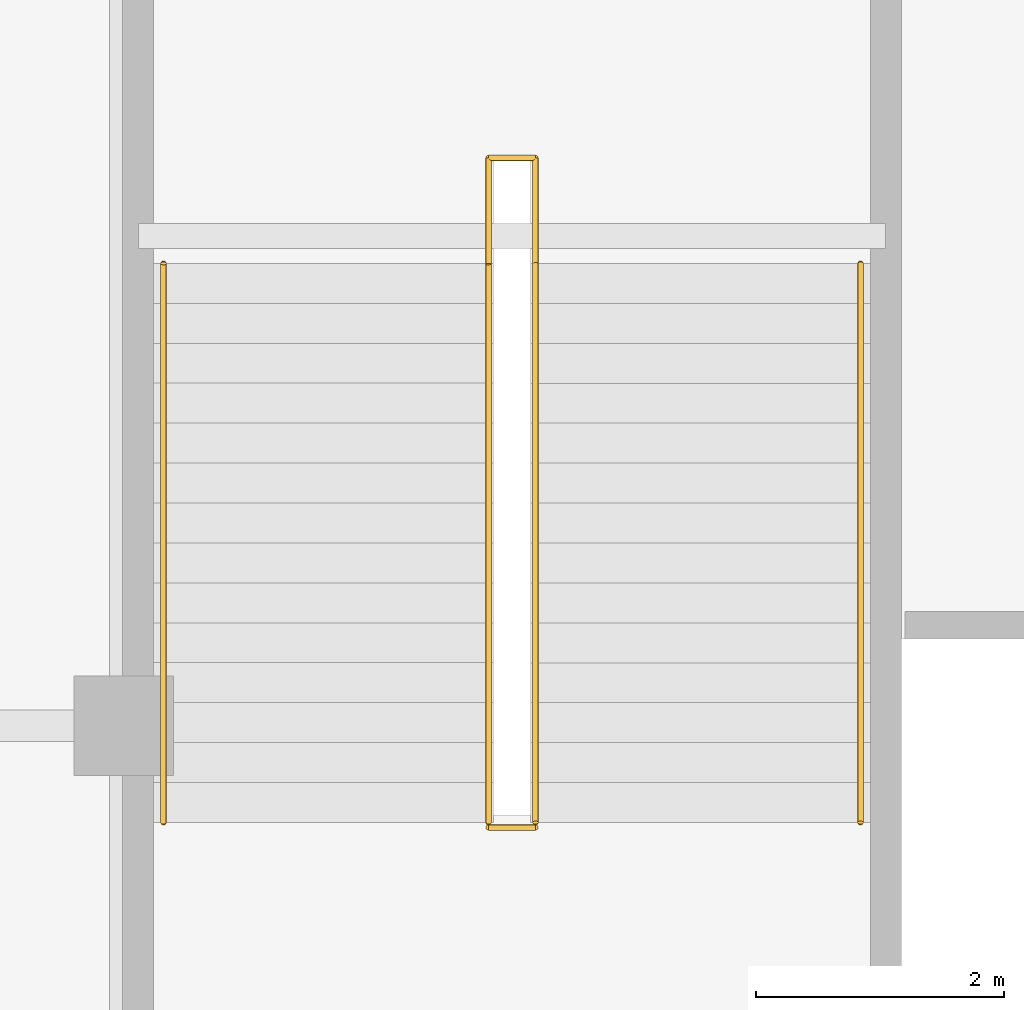
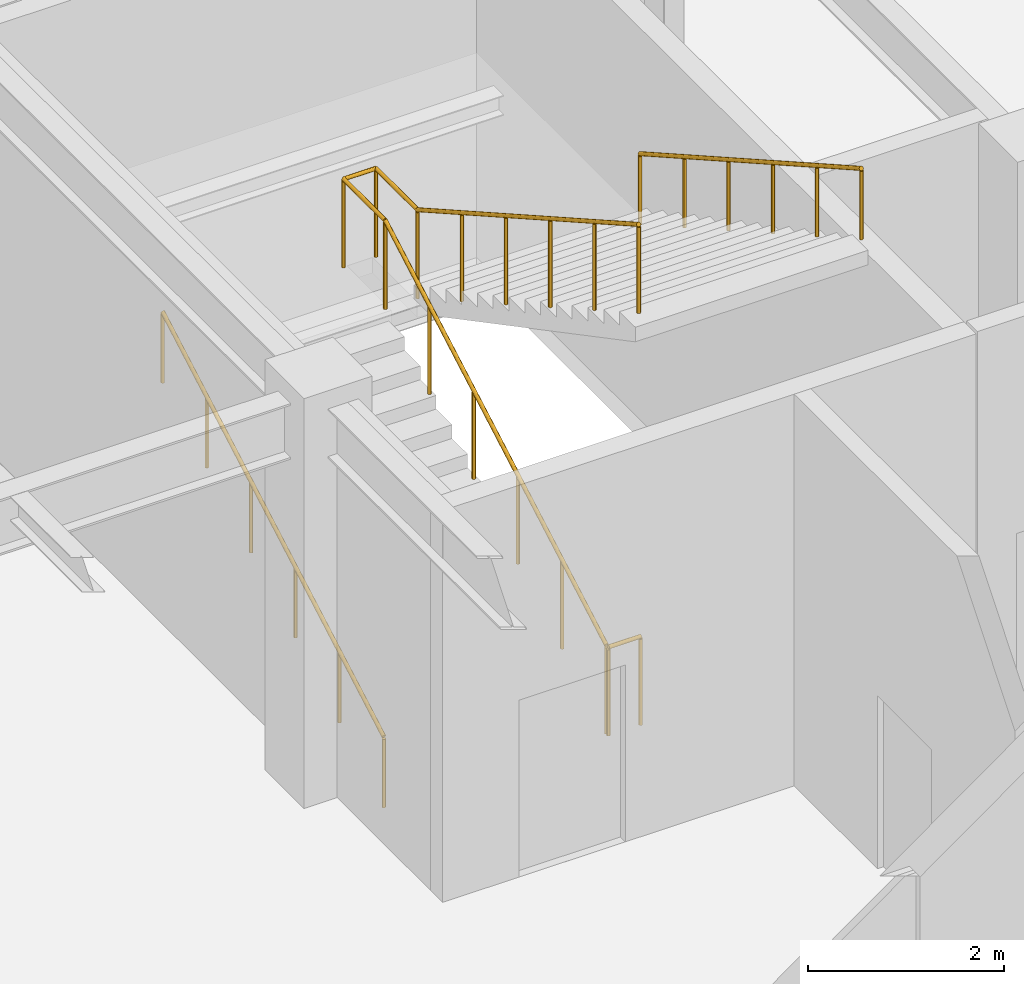
# One storey, part 126 of 128: 4 railings.
"""IFC4 building model written with IfcOpenShell, lengths in metres."""

from ifc_helpers import new_model, si_unit, direction, frame, origin, origin_2d, place, context, subcontext, project, spatial, circle, extrude, material, type_object, element, save


model = new_model("IFC4")

# Units and contexts
model_context = context("Model", 3, precision=1e-05, world=origin(), true_north=direction((0.0, 1.0)))
body_context = subcontext(model_context, "Body", "Model", "MODEL_VIEW")
ifc_project = project(units=[si_unit("LENGTHUNIT", "METRE"), si_unit("AREAUNIT", "SQUARE_METRE"), si_unit("VOLUMEUNIT", "CUBIC_METRE"), si_unit("PLANEANGLEUNIT", "RADIAN"), si_unit("MASSUNIT", "GRAM", prefix="KILO")], contexts=[model_context])

# Site, building, storey
site_placement = place(None, origin())
site = spatial("IfcSite", under=ifc_project, at=site_placement, CompositionType="ELEMENT")
building_placement = place(site_placement, origin())
building = spatial("IfcBuilding", under=site, at=building_placement, Name="Xicomal Pleat Aquarium", CompositionType="ELEMENT")
storey_placement = place(building_placement, frame((0.0, 0.0, 5.39990234375)))
storey = spatial("IfcBuildingStorey", under=building, at=storey_placement, Name="L02", CompositionType="ELEMENT", Elevation=5.39990234375)

# Railings
ifc_material_1 = material(Name="Brushed stainless steel 316L", Category="steel")
railing_type_1 = type_object("IfcRailingType", Name="RAL-HR-900", PredefinedType="HANDRAIL", material=ifc_material_1)
railing_1_placement = place(storey_placement, frame((10.52001953125, 67.6201171875, 0.0)))
element("IfcRailing", 1, at=railing_1_placement, inside=storey, type_object=railing_type_1, Name="ST-03-L02 flight 1 handrail", PredefinedType="HANDRAIL", context=body_context, shape_type="SweptSolid", body=[
    extrude(circle(Radius=0.02392578125, at=origin_2d()), frame((0.0, 0.0, 0.8759765625), z_axis=(0.0, 0.870384556315, 0.492372546074), x_axis=(-1.0, 0.0, 0.0)), (0.0, 0.0, 1.0), 5.17919921875),
    extrude(circle(Radius=0.02099609375, at=origin_2d()), origin(), (0.0, 0.0, 1.0), 0.851806640625),
    extrude(circle(Radius=0.02099609375, at=origin_2d()), frame((0.0, 0.901611328125, 0.510009765625)), (0.0, 0.0, 1.0), 0.851806640625),
    extrude(circle(Radius=0.02099609375, at=origin_2d()), frame((0.0, 1.80322265625, 1.02001953125)), (0.0, 0.0, 1.0), 0.851806640625),
    extrude(circle(Radius=0.02099609375, at=origin_2d()), frame((0.0, 2.70458984375, 1.530029296875)), (0.0, 0.0, 1.0), 0.851806640625),
    extrude(circle(Radius=0.02099609375, at=origin_2d()), frame((0.0, 3.606201171875, 2.0400390625)), (0.0, 0.0, 1.0), 0.851806640625),
    extrude(circle(Radius=0.02099609375, at=origin_2d()), frame((0.0, 4.5078125, 2.550048828125)), (0.0, 0.0, 1.0), 0.851806640625),
])
railing_2_placement = place(storey_placement, frame((16.139892578125, 72.1279296875, 2.550048828125)))
element("IfcRailing", 2, at=railing_2_placement, inside=storey, type_object=railing_type_1, Name="ST-03-L02 flight 2 handrail", PredefinedType="HANDRAIL", context=body_context, shape_type="SweptSolid", body=[
    extrude(circle(Radius=0.02392578125, at=origin_2d()), frame((0.0, 0.0, 0.8759765625), z_axis=(0.0, -0.870384556315, 0.492372546074), x_axis=(1.0, 0.0, 0.0)), (0.0, 0.0, 1.0), 5.17919921875),
    extrude(circle(Radius=0.02099609375, at=origin_2d()), origin(), (0.0, 0.0, 1.0), 0.851806640625),
    extrude(circle(Radius=0.02099609375, at=origin_2d()), frame((0.0, -0.901611328125, 0.510009765625)), (0.0, 0.0, 1.0), 0.851806640625),
    extrude(circle(Radius=0.02099609375, at=origin_2d()), frame((0.0, -1.80322265625, 1.02001953125)), (0.0, 0.0, 1.0), 0.851806640625),
    extrude(circle(Radius=0.02099609375, at=origin_2d()), frame((0.0, -2.70458984375, 1.530029296875)), (0.0, 0.0, 1.0), 0.851806640625),
    extrude(circle(Radius=0.02099609375, at=origin_2d()), frame((0.0, -3.606201171875, 2.0400390625)), (0.0, 0.0, 1.0), 0.851806640625),
    extrude(circle(Radius=0.02099609375, at=origin_2d()), frame((0.0, -4.5078125, 2.550048828125)), (0.0, 0.0, 1.0), 0.851806640625),
])
ifc_material_2 = material(Name="Brushed stainless steel 316L", Category="steel")
railing_type_2 = type_object("IfcRailingType", Name="RAL-STG-1120", PredefinedType="GUARDRAIL", material=ifc_material_2)
railing_3_placement = place(storey_placement, frame((13.139892578125, 67.6201171875, 0.0)))
element("IfcRailing", 3, at=railing_3_placement, inside=storey, type_object=railing_type_2, Name="ST-03-L02 inner well guard", PredefinedType="GUARDRAIL", context=body_context, shape_type="SweptSolid", body=[
    extrude(circle(Radius=0.02392578125, at=origin_2d()), frame((0.0, 0.0, 1.09619140625), z_axis=(0.0, 0.870384556315, 0.492372546074), x_axis=(-1.0, 0.0, 0.0)), (0.0, 0.0, 1.0), 5.17919921875),
    extrude(circle(Radius=0.02392578125, at=origin_2d()), frame((0.0, 4.5078125, 3.64599609375), z_axis=(0.0, 1.0, 0.0), x_axis=(-1.0, 0.0, 0.0)), (0.0, 0.0, 1.0), 0.85009765625),
    extrude(circle(Radius=0.02392578125, at=origin_2d()), frame((0.0, 5.35791015625, 3.64599609375), z_axis=(1.0, 0.0, 0.0), x_axis=(0.0, 1.0, 0.0)), (0.0, 0.0, 1.0), 0.380126953125),
    extrude(circle(Radius=0.02392578125, at=origin_2d()), frame((0.380126953125, 5.35791015625, 3.64599609375), z_axis=(0.0, -1.0, 0.0), x_axis=(1.0, 0.0, 0.0)), (0.0, 0.0, 1.0), 0.85009765625),
    extrude(circle(Radius=0.02392578125, at=origin_2d()), frame((0.380126953125, 4.5078125, 3.64599609375), z_axis=(0.0, -0.870384556315, 0.492372546074), x_axis=(1.0, 0.0, 0.0)), (0.0, 0.0, 1.0), 5.17919921875),
    extrude(circle(Radius=0.02099609375, at=origin_2d()), origin(), (0.0, 0.0, 1.0), 1.072021484375),
    extrude(circle(Radius=0.02099609375, at=origin_2d()), frame((0.0, 0.901611328125, 0.510009765625)), (0.0, 0.0, 1.0), 1.072021484375),
    extrude(circle(Radius=0.02099609375, at=origin_2d()), frame((0.0, 1.80322265625, 1.02001953125)), (0.0, 0.0, 1.0), 1.072021484375),
    extrude(circle(Radius=0.02099609375, at=origin_2d()), frame((0.0, 2.70458984375, 1.530029296875)), (0.0, 0.0, 1.0), 1.072021484375),
    extrude(circle(Radius=0.02099609375, at=origin_2d()), frame((0.0, 3.606201171875, 2.0400390625)), (0.0, 0.0, 1.0), 1.072021484375),
    extrude(circle(Radius=0.02099609375, at=origin_2d()), frame((0.0, 4.5078125, 2.550048828125)), (0.0, 0.0, 1.0), 1.072021484375),
    extrude(circle(Radius=0.02099609375, at=origin_2d()), frame((0.0, 5.35791015625, 2.550048828125)), (0.0, 0.0, 1.0), 1.072021484375),
    extrude(circle(Radius=0.02099609375, at=origin_2d()), frame((0.380126953125, 5.35791015625, 2.550048828125)), (0.0, 0.0, 1.0), 1.072021484375),
    extrude(circle(Radius=0.02099609375, at=origin_2d()), frame((0.380126953125, 4.5078125, 2.550048828125)), (0.0, 0.0, 1.0), 1.072021484375),
    extrude(circle(Radius=0.02099609375, at=origin_2d()), frame((0.380126953125, 3.606201171875, 3.06005859375)), (0.0, 0.0, 1.0), 1.072021484375),
    extrude(circle(Radius=0.02099609375, at=origin_2d()), frame((0.380126953125, 2.70458984375, 3.570068359375)), (0.0, 0.0, 1.0), 1.072021484375),
    extrude(circle(Radius=0.02099609375, at=origin_2d()), frame((0.380126953125, 1.80322265625, 4.080078125)), (0.0, 0.0, 1.0), 1.072021484375),
    extrude(circle(Radius=0.02099609375, at=origin_2d()), frame((0.380126953125, 0.901611328125, 4.590087890625)), (0.0, 0.0, 1.0), 1.072021484375),
    extrude(circle(Radius=0.02099609375, at=origin_2d()), frame((0.380126953125, 0.0, 5.10009765625)), (0.0, 0.0, 1.0), 1.072021484375),
])
railing_4_placement = place(storey_placement, frame((13.139892578125, 67.580078125, 0.0)))
element("IfcRailing", 4, at=railing_4_placement, inside=storey, type_object=railing_type_2, Name="ST-03-L02 floor landing slot guard", PredefinedType="GUARDRAIL", context=body_context, shape_type="SweptSolid", body=[
    extrude(circle(Radius=0.02392578125, at=origin_2d()), frame((0.0, 0.0, 1.09619140625), z_axis=(1.0, 0.0, 0.0), x_axis=(0.0, 1.0, 0.0)), (0.0, 0.0, 1.0), 0.380126953125),
    extrude(circle(Radius=0.02099609375, at=origin_2d()), origin(), (0.0, 0.0, 1.0), 1.072021484375),
    extrude(circle(Radius=0.02099609375, at=origin_2d()), frame((0.380126953125, 0.0, 0.0)), (0.0, 0.0, 1.0), 1.072021484375),
])

save(model, "model.ifc")
